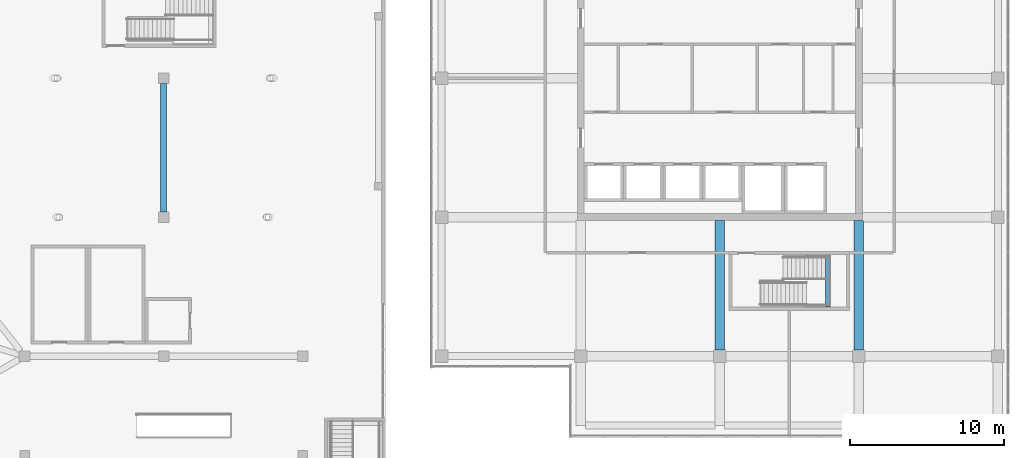
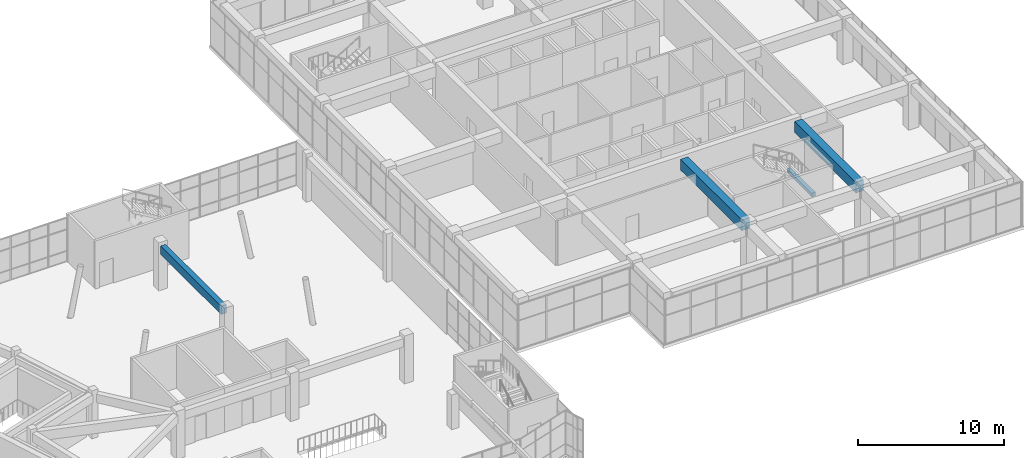
# One storey, part 21 of 65: 4 beams.
"""IFC4 building model written with IfcOpenShell, lengths in metres."""

from ifc_helpers import new_model, si_unit, direction, frame, origin, origin_2d, place, context, subcontext, project, spatial, rectangle, extrude, material, material_profile, profile_set, type_object, element, save


model = new_model("IFC4")

# Units and contexts
model_context = context("Model", 3, precision=1e-05, world=origin(), true_north=direction((0.0, 1.0)))
body_context = subcontext(model_context, "Body", "Model", "MODEL_VIEW")
ifc_project = project(units=[si_unit("LENGTHUNIT", "METRE"), si_unit("AREAUNIT", "SQUARE_METRE"), si_unit("VOLUMEUNIT", "CUBIC_METRE"), si_unit("PLANEANGLEUNIT", "RADIAN"), si_unit("MASSUNIT", "GRAM", prefix="KILO")], contexts=[model_context])

# Site, building, storey
site_placement = place(None, origin())
site = spatial("IfcSite", under=ifc_project, at=site_placement, CompositionType="ELEMENT")
building_placement = place(site_placement, origin())
building = spatial("IfcBuilding", under=site, at=building_placement, Name="Tuart Plaza Theatre", CompositionType="ELEMENT")
storey_placement = place(building_placement, frame((0.0, 0.0, 9.5)))
storey = spatial("IfcBuildingStorey", under=building, at=storey_placement, Name="L02", CompositionType="ELEMENT", Elevation=9.5)

# Beams
ifc_material_1 = material(Name="Concrete N40 (40 MPa)", Category="concrete")
ifc_material_profile_1 = material_profile(ifc_material_1, rectangle(XDim=0.300048828125, YDim=0.300048828125, at=origin_2d()), Name="BEAM 300x300 Concrete N40 (40 MPa)")
ifc_profile_set_1 = profile_set([ifc_material_profile_1], Name="Concrete N40 (40 MPa)")
beam_type_1 = type_object("IfcBeamType", Name="BEAM 300x300 Concrete N40 (40 MPa)", PredefinedType="BEAM", material=ifc_profile_set_1)
beam_1_placement = place(storey_placement, frame((138.97998046875, 59.175048828125, 1.64990234375), z_axis=(0.0, 1.0, 0.0), x_axis=(-1.0, 0.0, 0.0)))
element("IfcBeam", 1, at=beam_1_placement, inside=storey, type_object=beam_type_1, Name="RB498", PredefinedType="BEAM", context=body_context, shape_type="SweptSolid", body=[
    extrude(rectangle(XDim=0.300048828125, YDim=0.300048828125, at=origin_2d()), origin(), (0.0, 0.0, 1.0), 3.39990234375),
])
ifc_material_2 = material(Name="Concrete N40 (40 MPa)", Category="concrete")
ifc_material_profile_2 = material_profile(ifc_material_2, rectangle(XDim=0.39990234375, YDim=0.699951171875, at=origin_2d()), Name="BEAM 400x700 Concrete N40 (40 MPa)")
ifc_profile_set_2 = profile_set([ifc_material_profile_2], Name="Concrete N40 (40 MPa)")
beam_type_2 = type_object("IfcBeamType", Name="BEAM 400x700 Concrete N40 (40 MPa)", PredefinedType="BEAM", material=ifc_profile_set_2)
beam_2_placement = place(storey_placement, frame((96.0, 65.35009765625, 3.35009765625), z_axis=(0.0, 1.0, 0.0), x_axis=(-1.0, 0.0, 0.0)))
element("IfcBeam", 2, at=beam_2_placement, inside=storey, type_object=beam_type_2, Name="RB478", PredefinedType="BEAM", context=body_context, shape_type="SweptSolid", body=[
    extrude(rectangle(XDim=0.39990234375, YDim=0.699951171875, at=origin_2d()), origin(), (0.0, 0.0, 1.0), 8.2998046875),
])
ifc_material_3 = material(Name="Concrete N40 (40 MPa)", Category="concrete")
ifc_material_profile_3 = material_profile(ifc_material_3, rectangle(XDim=0.60009765625, YDim=0.89990234375, at=origin_2d()), Name="BEAM 600x900 Concrete N40 (40 MPa)")
ifc_profile_set_3 = profile_set([ifc_material_profile_3], Name="Concrete N40 (40 MPa)")
beam_type_3 = type_object("IfcBeamType", Name="BEAM 600x900 Concrete N40 (40 MPa)", PredefinedType="BEAM", material=ifc_profile_set_3)
for number, where, z_axis, x_axis, name in (
    (3, (132.0, 56.39990234375, 3.300048828125), (0.0, 1.0, 0.0), (-1.0, 0.0, 0.0), "RB183"),
    (4, (141.0, 56.39990234375, 3.300048828125), (0.0, 1.0, 0.0), (-1.0, 0.0, 0.0), "RB190"),
):
    element("IfcBeam", number, at=place(storey_placement, frame(where, z_axis=z_axis, x_axis=x_axis)), inside=storey, type_object=beam_type_3, Name=name, PredefinedType="BEAM", context=body_context, shape_type="SweptSolid", body=[
        extrude(rectangle(XDim=0.60009765625, YDim=0.89990234375, at=origin_2d()), origin(), (0.0, 0.0, 1.0), 8.375),
    ])

save(model, "model.ifc")
